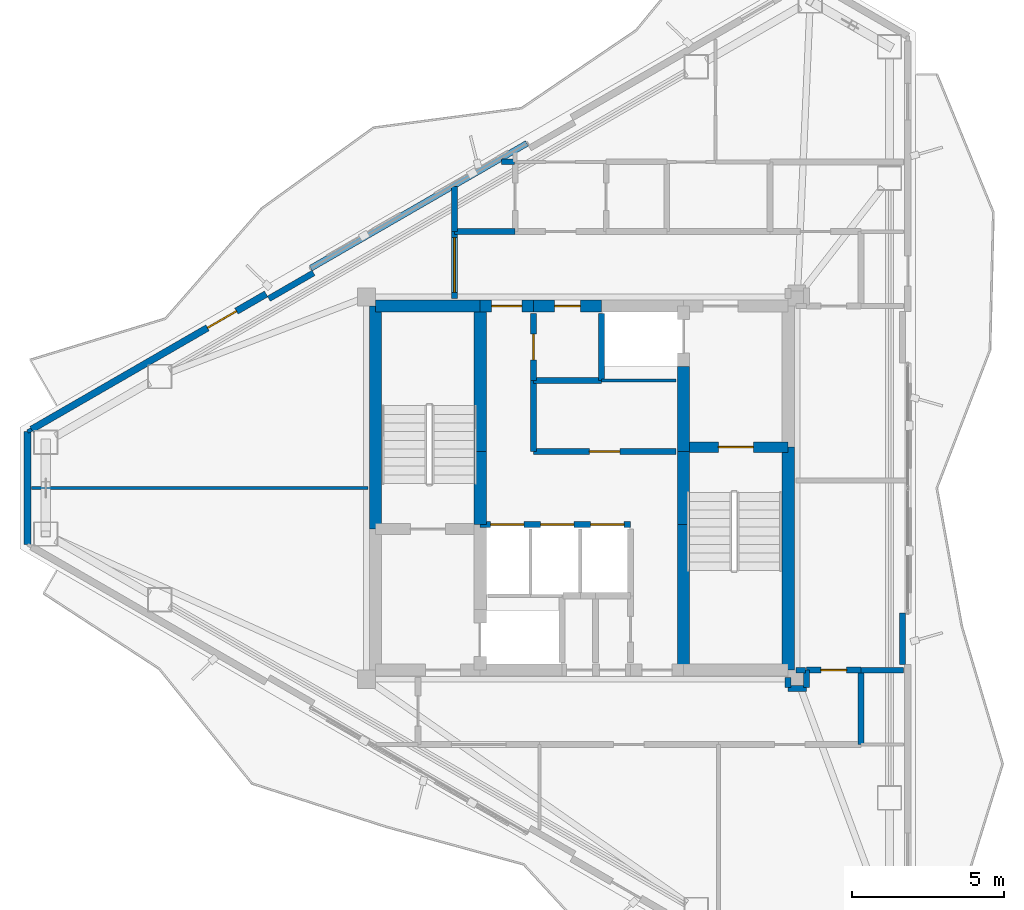
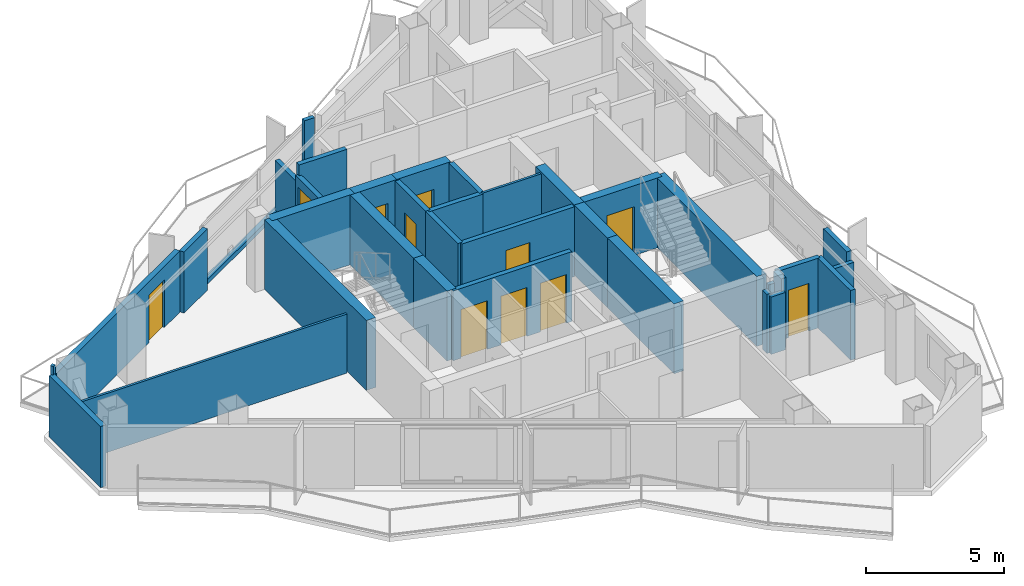
# One storey, part 15 of 18: 36 walls, 11 doors, 11 openings.
"""IFC4 building model written with IfcOpenShell, lengths in metres."""

from ifc_helpers import new_model, si_unit, direction, frame, frame_2d, origin, place, context, subcontext, project, spatial, rectangle, extrude, material, layer, layer_set, type_object, element, fill, save


model = new_model("IFC4")

# Units and contexts
model_context = context("Model", 3, precision=1e-05, world=origin(), true_north=direction((0.0, 1.0)))
body_context = subcontext(model_context, "Body", "Model", "MODEL_VIEW")
ifc_project = project(units=[si_unit("LENGTHUNIT", "METRE"), si_unit("AREAUNIT", "SQUARE_METRE"), si_unit("VOLUMEUNIT", "CUBIC_METRE"), si_unit("PLANEANGLEUNIT", "RADIAN"), si_unit("MASSUNIT", "GRAM", prefix="KILO")], contexts=[model_context])

# Site, building, storey
site_placement = place(None, origin())
site = spatial("IfcSite", under=ifc_project, at=site_placement, CompositionType="ELEMENT")
building_placement = place(site_placement, origin())
building = spatial("IfcBuilding", under=site, at=building_placement, Name="Mersakhor Tower and Convention Hall", CompositionType="ELEMENT")
storey_placement = place(building_placement, frame((0.0, 0.0, 243.0)))
storey = spatial("IfcBuildingStorey", under=building, at=storey_placement, Name="L68", CompositionType="ELEMENT", Elevation=243.0)

# Wall
ifc_material_1 = material(Name="Precast concrete C40/50", Category="concrete")
ifc_layer_1 = layer(ifc_material_1, 0.22509765625)
ifc_layer_set_1 = layer_set([ifc_layer_1], Name="Precast concrete C40/50")
wall_type_1 = type_object("IfcWallType", Name="WL-EXT-225", PredefinedType="SOLIDWALL", material=ifc_layer_set_1)
wall_1_placement = place(storey_placement, frame((10.73193359375, 24.892333984375, 0.0), z_axis=(0.0, 0.0, 1.0), x_axis=(0.0, 1.0, 0.0)))
element("IfcWall", 1, at=wall_1_placement, inside=storey, type_object=wall_type_1, Name="L68 Chamfer Braced Spandrel Wall C3", PredefinedType="SOLIDWALL", context=body_context, shape_type="SweptSolid", body=[
    extrude(rectangle(XDim=3.71533203125, YDim=0.22509765625, at=frame_2d((1.857666015625, 0.0))), origin(), (0.0, 0.0, 1.0), 2.699951171875),
])

# Wall, opening, door
wall_2_placement = place(storey_placement, frame((10.86181640625, 28.6826171875, 0.0), z_axis=(0.0, 0.0, 1.0), x_axis=(0.866026655105, 0.499997832642, 0.0)))
wall_2 = element("IfcWall", 2, at=wall_2_placement, inside=storey, type_object=wall_type_1, Name="L68 Exterior Facade Wall F1-B1", PredefinedType="SOLIDWALL", context=body_context, shape_type="SweptSolid", body=[
    extrude(rectangle(XDim=8.927734375, YDim=0.22509765625, at=frame_2d((4.4638671875, 0.0))), origin(), (0.0, 0.0, 1.0), 2.699951171875),
])
opening_1_placement = place(wall_2_placement, frame((6.696044921875, 0.0, 0.0)))
opening_1 = element("IfcOpeningElement", 3, at=opening_1_placement, cuts=wall_2, Name="Opening BD-02", PredefinedType="OPENING", context=body_context, shape_type="SweptSolid", body=[
    extrude(rectangle(XDim=1.10009765625, YDim=2.10009765625, at=frame_2d((0.550048828125, 1.050048828125))), frame((0.0, 0.12255859375, 0.0), z_axis=(0.0, -1.0, 0.0), x_axis=(1.0, 0.0, 0.0)), (0.0, 0.0, 1.0), 0.2451171875),
])
ifc_material_2 = material(Name="Thermally broken dark aluminium and safety glass", Category="aluminium")
door_type_1 = type_object("IfcDoorType", Name="DR-BAL-110x210", OperationType="NOTDEFINED", PredefinedType="DOOR", material=ifc_material_2)
door_1_placement = place(opening_1_placement, origin())
door_1 = element("IfcDoor", 4, at=door_1_placement, inside=storey, type_object=door_type_1, Name="L68 Balcony Terrace Door F1-B1", OperationType="SINGLE_SWING_RIGHT", OverallHeight=2.10009765625, OverallWidth=1.10009765625, PredefinedType="DOOR", context=body_context, shape_type="SweptSolid", body=[
    extrude(rectangle(XDim=1.10009765625, YDim=2.10009765625, at=frame_2d((0.550048828125, 1.050048828125))), frame((0.0, 0.02490234375, 0.0), z_axis=(0.0, -1.0, 0.0), x_axis=(1.0, 0.0, 0.0)), (0.0, 0.0, 1.0), 0.050048828125),
])
fill(opening_1, door_1)

# Walls
ifc_material_3 = material(Name="Precast concrete C40/50", Category="concrete")
ifc_layer_2 = layer(ifc_material_3, 0.199951171875)
ifc_layer_set_2 = layer_set([ifc_layer_2], Name="Precast concrete C40/50")
wall_type_2 = type_object("IfcWallType", Name="WL-PAR-200", PredefinedType="PARAPET", material=ifc_layer_set_2)
wall_3_placement = place(storey_placement, frame((20.06591796875, 33.99658203125, 0.0), z_axis=(0.0, 0.0, 1.0), x_axis=(0.866019557082, 0.500010126649, 0.0)))
element("IfcWall", 5, at=wall_3_placement, inside=storey, type_object=wall_type_2, Name="L68 Curtain Wall Upstand Sill F1-B2", PredefinedType="PARAPET", context=body_context, shape_type="SweptSolid", body=[
    extrude(rectangle(XDim=8.227783203125, YDim=0.199951171875, at=frame_2d((4.11376953125, 0.0))), origin(), (0.0, 0.0, 1.0), 0.199951171875),
])
wall_4_placement = place(storey_placement, frame((18.68359375, 32.99072265625, 0.0), z_axis=(0.0, 0.0, 1.0), x_axis=(0.866025371046, 0.500000056704, 0.0)))
element("IfcWall", 6, at=wall_4_placement, inside=storey, type_object=wall_type_2, Name="L68 Column Pier Cladding Wall F1-C1", PredefinedType="PARAPET", context=body_context, shape_type="SweptSolid", body=[
    extrude(rectangle(XDim=1.7001953125, YDim=0.199951171875, at=frame_2d((0.85009765625, 0.0))), origin(), (0.0, 0.0, 1.0), 2.699951171875),
])
wall_5_placement = place(storey_placement, frame((39.562744140625, 22.635986328125, 0.0), z_axis=(0.0, 0.0, 1.0), x_axis=(0.0, -1.0, 0.0)))
element("IfcWall", 7, at=wall_5_placement, inside=storey, type_object=wall_type_2, Name="L68 Column Pier Cladding Wall F2-C2", PredefinedType="PARAPET", context=body_context, shape_type="SweptSolid", body=[
    extrude(rectangle(XDim=1.699951171875, YDim=0.199951171875, at=frame_2d((0.85009765625, 0.0))), origin(), (0.0, 0.0, 1.0), 2.699951171875),
])
ifc_material_4 = material(Name="Moisture-resistant acoustic drywall studwork", Category="other")
ifc_layer_3 = layer(ifc_material_4, 0.175048828125)
ifc_layer_set_3 = layer_set([ifc_layer_3], Name="Moisture-resistant acoustic drywall studwork")
wall_type_3 = type_object("IfcWallType", Name="WL-PLM-175", PredefinedType="PLUMBINGWALL", material=ifc_layer_set_3)
wall_6_placement = place(storey_placement, frame((39.606201171875, 20.75, 0.0), z_axis=(0.0, 0.0, 1.0), x_axis=(-1.0, 0.0, 0.0)))
element("IfcWall", 8, at=wall_6_placement, inside=storey, type_object=wall_type_3, Name="L68 Interior Partition Wall P-042", PredefinedType="PLUMBINGWALL", context=body_context, shape_type="SweptSolid", body=[
    extrude(rectangle(XDim=1.40625, YDim=0.175048828125, at=frame_2d((0.703125, 0.0))), origin(), (0.0, 0.0, 1.0), 2.364990234375),
])
wall_7_placement = place(storey_placement, frame((36.3701171875, 20.75, 0.0), z_axis=(0.0, 0.0, 1.0), x_axis=(-1.0, 0.0, 0.0)))
element("IfcWall", 9, at=wall_7_placement, inside=storey, type_object=wall_type_3, Name="L68 Interior Partition Wall P-043", PredefinedType="PLUMBINGWALL", context=body_context, shape_type="SweptSolid", body=[
    extrude(rectangle(XDim=0.320068359375, YDim=0.175048828125, at=frame_2d((0.16015625, 0.0))), origin(), (0.0, 0.0, 1.0), 2.60498046875),
])
wall_8_placement = place(storey_placement, frame((26.356689453125, 37.5, 0.0), z_axis=(0.0, 0.0, 1.0), x_axis=(1.0, 0.0, 0.0)))
element("IfcWall", 10, at=wall_8_placement, inside=storey, type_object=wall_type_3, Name="L68 Interior Partition Wall P-045", PredefinedType="PLUMBINGWALL", context=body_context, shape_type="SweptSolid", body=[
    extrude(rectangle(XDim=0.42822265625, YDim=0.175048828125, at=frame_2d((0.214111328125, 0.0))), origin(), (0.0, 0.0, 1.0), 3.080078125),
])
ifc_material_5 = material(Name="Lightweight gypsum partition", Category="other")
ifc_layer_4 = layer(ifc_material_5, 0.10009765625)
ifc_layer_set_4 = layer_set([ifc_layer_4], Name="Lightweight gypsum partition")
wall_type_4 = type_object("IfcWallType", Name="WL-PRT-100", PredefinedType="PARTITIONING", material=ifc_layer_set_4)
wall_9_placement = place(storey_placement, frame((32.10009765625, 30.300048828125, 0.0), z_axis=(0.0, 0.0, 1.0), x_axis=(-1.0, 0.0, 0.0)))
element("IfcWall", 11, at=wall_9_placement, inside=storey, type_object=wall_type_4, Name="L68 Interior Partition Wall P-004", PredefinedType="PARTITIONING", context=body_context, shape_type="SweptSolid", body=[
    extrude(rectangle(XDim=2.4501953125, YDim=0.10009765625, at=frame_2d((1.22509765625, 0.0))), origin(), (0.0, 0.0, 1.0), 3.080078125),
])
wall_10_placement = place(storey_placement, frame((21.949951171875, 26.75, 0.0), z_axis=(0.0, 0.0, 1.0), x_axis=(-1.0, 0.0, 0.0)))
element("IfcWall", 12, at=wall_10_placement, inside=storey, type_object=wall_type_4, Name="L68 Interior Partition Wall P-060", PredefinedType="PARTITIONING", context=body_context, shape_type="SweptSolid", body=[
    extrude(rectangle(XDim=11.08154296875, YDim=0.10009765625, at=frame_2d((5.540771484375, 0.0))), origin(), (0.0, 0.0, 1.0), 2.60498046875),
])
ifc_material_6 = material(Name="Gypsum board acoustic partition", Category="other")
ifc_layer_5 = layer(ifc_material_6, 0.125)
ifc_layer_set_5 = layer_set([ifc_layer_5], Name="Gypsum board acoustic partition")
wall_type_5 = type_object("IfcWallType", Name="WL-PRT-125", PredefinedType="PARTITIONING", material=ifc_layer_set_5)
wall_11_placement = place(storey_placement, frame((10.73193359375, 28.60791015625, 0.0), z_axis=(0.0, 0.0, 1.0), x_axis=(0.866131372301, 0.499816412211, 0.0)))
element("IfcWall", 13, at=wall_11_placement, inside=storey, type_object=wall_type_5, Name="L68 Interior Partition Wall P-061", PredefinedType="PARTITIONING", context=body_context, shape_type="SweptSolid", body=[
    extrude(rectangle(XDim=0.14990234375, YDim=0.125, at=frame_2d((0.074951171875, 0.0))), origin(), (0.0, 0.0, 1.0), 3.080078125),
])

# Wall, openings, doors
ifc_material_7 = material(Name="Acoustic concrete blockwork and gypsum board", Category="masonry")
ifc_layer_6 = layer(ifc_material_7, 0.199951171875)
ifc_layer_set_6 = layer_set([ifc_layer_6], Name="Acoustic concrete blockwork and gypsum board")
wall_type_6 = type_object("IfcWallType", Name="WL-PRT-200", PredefinedType="PARTITIONING", material=ifc_layer_set_6)
wall_12_placement = place(storey_placement, frame((25.64990234375, 25.550048828125, 0.0), z_axis=(0.0, 0.0, 1.0), x_axis=(1.0, 0.0, 0.0)))
wall_12 = element("IfcWall", 14, at=wall_12_placement, inside=storey, type_object=wall_type_6, Name="L68 High-Rise Lift Bank Front Wall", PredefinedType="PARTITIONING", context=body_context, shape_type="SweptSolid", body=[
    extrude(rectangle(XDim=4.9501953125, YDim=0.199951171875, at=frame_2d((2.47509765625, 0.0))), origin(), (0.0, 0.0, 1.0), 3.080078125),
])
opening_2_placement = place(wall_12_placement, frame((0.340087890625, 0.0, 0.0)))
opening_2 = element("IfcOpeningElement", 15, at=opening_2_placement, cuts=wall_12, Name="Opening LD-P4", PredefinedType="OPENING", context=body_context, shape_type="SweptSolid", body=[
    extrude(rectangle(XDim=1.10009765625, YDim=2.14990234375, at=frame_2d((0.550048828125, 1.074951171875))), frame((0.0, 0.10986328125, 0.0), z_axis=(0.0, -1.0, 0.0), x_axis=(1.0, 0.0, 0.0)), (0.0, 0.0, 1.0), 0.219970703125),
])
opening_3_placement = place(wall_12_placement, frame((1.989990234375, 0.0, 0.0)))
opening_3 = element("IfcOpeningElement", 16, at=opening_3_placement, cuts=wall_12, Name="Opening LD-P5", PredefinedType="OPENING", context=body_context, shape_type="SweptSolid", body=[
    extrude(rectangle(XDim=1.10009765625, YDim=2.14990234375, at=frame_2d((0.550048828125, 1.074951171875))), frame((0.0, 0.10986328125, 0.0), z_axis=(0.0, -1.0, 0.0), x_axis=(1.0, 0.0, 0.0)), (0.0, 0.0, 1.0), 0.219970703125),
])
opening_4_placement = place(wall_12_placement, frame((3.639892578125, 0.0, 0.0)))
opening_4 = element("IfcOpeningElement", 17, at=opening_4_placement, cuts=wall_12, Name="Opening LD-P6", PredefinedType="OPENING", context=body_context, shape_type="SweptSolid", body=[
    extrude(rectangle(XDim=1.10009765625, YDim=2.14990234375, at=frame_2d((0.550048828125, 1.074951171875))), frame((0.0, 0.10986328125, 0.0), z_axis=(0.0, -1.0, 0.0), x_axis=(1.0, 0.0, 0.0)), (0.0, 0.0, 1.0), 0.219970703125),
])
ifc_material_8 = material(Name="Fire-rated brushed stainless steel sliding landing door", Category="steel")
door_type_2 = type_object("IfcDoorType", Name="DR-LIFT-SLD-110x215", OperationType="NOTDEFINED", PredefinedType="DOOR", material=ifc_material_8)
door_2_placement = place(opening_2_placement, origin())
door_2 = element("IfcDoor", 18, at=door_2_placement, inside=storey, type_object=door_type_2, Name="L68 Lift Landing Door LD-P4", OperationType="SLIDING_TO_LEFT", OverallHeight=2.14990234375, OverallWidth=1.10009765625, PredefinedType="DOOR", context=body_context, shape_type="SweptSolid", body=[
    extrude(rectangle(XDim=1.10009765625, YDim=2.14990234375, at=frame_2d((0.550048828125, 1.074951171875))), frame((0.0, 0.02490234375, 0.0), z_axis=(0.0, -1.0, 0.0), x_axis=(1.0, 0.0, 0.0)), (0.0, 0.0, 1.0), 0.050048828125),
])
fill(opening_2, door_2)
door_3_placement = place(opening_3_placement, origin())
door_3 = element("IfcDoor", 19, at=door_3_placement, inside=storey, type_object=door_type_2, Name="L68 Lift Landing Door LD-P5", OperationType="SLIDING_TO_LEFT", OverallHeight=2.14990234375, OverallWidth=1.10009765625, PredefinedType="DOOR", context=body_context, shape_type="SweptSolid", body=[
    extrude(rectangle(XDim=1.10009765625, YDim=2.14990234375, at=frame_2d((0.550048828125, 1.074951171875))), frame((0.0, 0.02490234375, 0.0), z_axis=(0.0, -1.0, 0.0), x_axis=(1.0, 0.0, 0.0)), (0.0, 0.0, 1.0), 0.050048828125),
])
fill(opening_3, door_3)
door_4_placement = place(opening_4_placement, origin())
door_4 = element("IfcDoor", 20, at=door_4_placement, inside=storey, type_object=door_type_2, Name="L68 Lift Landing Door LD-P6", OperationType="SLIDING_TO_LEFT", OverallHeight=2.14990234375, OverallWidth=1.10009765625, PredefinedType="DOOR", context=body_context, shape_type="SweptSolid", body=[
    extrude(rectangle(XDim=1.10009765625, YDim=2.14990234375, at=frame_2d((0.550048828125, 1.074951171875))), frame((0.0, 0.02490234375, 0.0), z_axis=(0.0, -1.0, 0.0), x_axis=(1.0, 0.0, 0.0)), (0.0, 0.0, 1.0), 0.050048828125),
])
fill(opening_4, door_4)

# Wall
wall_13_placement = place(storey_placement, frame((29.64990234375, 30.300048828125, 0.0), z_axis=(0.0, 0.0, 1.0), x_axis=(0.0, 1.0, 0.0)))
element("IfcWall", 21, at=wall_13_placement, inside=storey, type_object=wall_type_6, Name="L68 Interior Partition Wall P-005", PredefinedType="PARTITIONING", context=body_context, shape_type="SweptSolid", body=[
    extrude(rectangle(XDim=2.199951171875, YDim=0.199951171875, at=frame_2d((1.10009765625, 0.0))), origin(), (0.0, 0.0, 1.0), 3.080078125),
])

# Wall, opening, door
wall_14_placement = place(storey_placement, frame((27.39990234375, 32.5, 0.0), z_axis=(0.0, 0.0, 1.0), x_axis=(0.0, -1.0, 0.0)))
wall_14 = element("IfcWall", 22, at=wall_14_placement, inside=storey, type_object=wall_type_6, Name="L68 Interior Partition Wall P-013", PredefinedType="PARTITIONING", context=body_context, shape_type="SweptSolid", body=[
    extrude(rectangle(XDim=2.199951171875, YDim=0.199951171875, at=frame_2d((1.10009765625, 0.0))), origin(), (0.0, 0.0, 1.0), 3.080078125),
])
opening_5_placement = place(wall_14_placement, frame((0.675048828125, 0.0, 0.0)))
opening_5 = element("IfcOpeningElement", 23, at=opening_5_placement, cuts=wall_14, Name="Opening SVD-01", PredefinedType="OPENING", context=body_context, shape_type="SweptSolid", body=[
    extrude(rectangle(XDim=0.85009765625, YDim=2.10009765625, at=frame_2d((0.425048828125, 1.050048828125))), frame((0.0, 0.10986328125, 0.0), z_axis=(0.0, -1.0, 0.0), x_axis=(1.0, 0.0, 0.0)), (0.0, 0.0, 1.0), 0.219970703125),
])
ifc_material_9 = material(Name="Fire-rated hardwood leaf and painted steel frame", Category="steel")
door_type_3 = type_object("IfcDoorType", Name="DR-INT-SVC-085x210", OperationType="NOTDEFINED", PredefinedType="DOOR", material=ifc_material_9)
door_5_placement = place(opening_5_placement, origin())
door_5 = element("IfcDoor", 24, at=door_5_placement, inside=storey, type_object=door_type_3, Name="L68 Central Passenger Lift Lobby to High-Zone Telecoms Room Door", OperationType="SINGLE_SWING_LEFT", OverallHeight=2.10009765625, OverallWidth=0.85009765625, PredefinedType="DOOR", context=body_context, shape_type="SweptSolid", body=[
    extrude(rectangle(XDim=0.85009765625, YDim=2.10009765625, at=frame_2d((0.425048828125, 1.050048828125))), frame((0.0, 0.02490234375, 0.0), z_axis=(0.0, -1.0, 0.0), x_axis=(1.0, 0.0, 0.0)), (0.0, 0.0, 1.0), 0.050048828125),
])
fill(opening_5, door_5)

# Wall
wall_15_placement = place(storey_placement, frame((27.39990234375, 30.300048828125, 0.0), z_axis=(0.0, 0.0, 1.0), x_axis=(0.0, -1.0, 0.0)))
element("IfcWall", 25, at=wall_15_placement, inside=storey, type_object=wall_type_6, Name="L68 Interior Partition Wall P-014", PredefinedType="PARTITIONING", context=body_context, shape_type="SweptSolid", body=[
    extrude(rectangle(XDim=2.35009765625, YDim=0.199951171875, at=frame_2d((1.175048828125, 0.0))), origin(), (0.0, 0.0, 1.0), 3.080078125),
])

# Wall, opening, door
wall_16_placement = place(storey_placement, frame((27.39990234375, 27.949951171875, 0.0), z_axis=(0.0, 0.0, 1.0), x_axis=(1.0, 0.0, 0.0)))
wall_16 = element("IfcWall", 26, at=wall_16_placement, inside=storey, type_object=wall_type_6, Name="L68 Interior Partition Wall P-015", PredefinedType="PARTITIONING", context=body_context, shape_type="SweptSolid", body=[
    extrude(rectangle(XDim=4.7001953125, YDim=0.199951171875, at=frame_2d((2.35009765625, 0.0))), origin(), (0.0, 0.0, 1.0), 3.080078125),
])
opening_6_placement = place(wall_16_placement, frame((1.85009765625, 0.0, 0.0)))
opening_6 = element("IfcOpeningElement", 27, at=opening_6_placement, cuts=wall_16, Name="Opening FD-01", PredefinedType="OPENING", context=body_context, shape_type="SweptSolid", body=[
    extrude(rectangle(XDim=1.0, YDim=2.14990234375, at=frame_2d((0.5, 1.074951171875))), frame((0.0, 0.10986328125, 0.0), z_axis=(0.0, -1.0, 0.0), x_axis=(1.0, 0.0, 0.0)), (0.0, 0.0, 1.0), 0.219970703125),
])
ifc_material_10 = material(Name="Fire-rated hardwood leaf and painted steel frame", Category="steel")
door_type_4 = type_object("IfcDoorType", Name="DR-INT-FLT-100x215", OperationType="NOTDEFINED", PredefinedType="DOOR", material=ifc_material_10)
door_6_placement = place(opening_6_placement, origin())
door_6 = element("IfcDoor", 28, at=door_6_placement, inside=storey, type_object=door_type_4, Name="L68 Central Passenger Lift Lobby to Shared Floor Tea Pantry Door", OperationType="SINGLE_SWING_RIGHT", OverallHeight=2.14990234375, OverallWidth=1.0, PredefinedType="DOOR", context=body_context, shape_type="SweptSolid", body=[
    extrude(rectangle(XDim=1.0, YDim=2.14990234375, at=frame_2d((0.5, 1.074951171875))), frame((0.0, 0.02490234375, 0.0), z_axis=(0.0, -1.0, 0.0), x_axis=(1.0, 0.0, 0.0)), (0.0, 0.0, 1.0), 0.050048828125),
])
fill(opening_6, door_6)

# Wall
wall_17_placement = place(storey_placement, frame((24.800048828125, 35.199951171875, 0.0), z_axis=(0.0, 0.0, 1.0), x_axis=(1.0, 0.0, 0.0)))
element("IfcWall", 29, at=wall_17_placement, inside=storey, type_object=wall_type_6, Name="L68 Interior Partition Wall P-016", PredefinedType="PARTITIONING", context=body_context, shape_type="SweptSolid", body=[
    extrude(rectangle(XDim=2.0, YDim=0.199951171875, at=frame_2d((1.0, 0.0))), origin(), (0.0, 0.0, 1.0), 3.080078125),
])

# Wall, opening, door
wall_18_placement = place(storey_placement, frame((24.800048828125, 33.0, 0.0), z_axis=(0.0, 0.0, 1.0), x_axis=(0.0, 1.0, 0.0)))
wall_18 = element("IfcWall", 30, at=wall_18_placement, inside=storey, type_object=wall_type_6, Name="L68 Interior Partition Wall P-026", PredefinedType="PARTITIONING", context=body_context, shape_type="SweptSolid", body=[
    extrude(rectangle(XDim=2.199951171875, YDim=0.199951171875, at=frame_2d((1.10009765625, 0.0))), origin(), (0.0, 0.0, 1.0), 2.60498046875),
])
opening_7_placement = place(wall_18_placement, frame((0.199951171875, 0.0, 0.0)))
opening_7 = element("IfcOpeningElement", 31, at=opening_7_placement, cuts=wall_18, Name="Opening HD-01", PredefinedType="OPENING", context=body_context, shape_type="SweptSolid", body=[
    extrude(rectangle(XDim=1.800048828125, YDim=2.199951171875, at=frame_2d((0.89990234375, 1.10009765625))), frame((0.0, 0.10986328125, 0.0), z_axis=(0.0, -1.0, 0.0), x_axis=(1.0, 0.0, 0.0)), (0.0, 0.0, 1.0), 0.219970703125),
])
ifc_material_11 = material(Name="Fire-rated hardwood leaf and painted steel frame", Category="steel")
door_type_5 = type_object("IfcDoorType", Name="DR-INT-HALL-180x220", OperationType="NOTDEFINED", PredefinedType="DOOR", material=ifc_material_11)
door_7_placement = place(opening_7_placement, origin())
door_7 = element("IfcDoor", 32, at=door_7_placement, inside=storey, type_object=door_type_5, Name="L68 Residential North Gallery Corridor to L68 West Crown Residents Meeting Room Door", OperationType="DOUBLE_DOOR_SINGLE_SWING", OverallHeight=2.199951171875, OverallWidth=1.800048828125, PredefinedType="DOOR", context=body_context, shape_type="SweptSolid", body=[
    extrude(rectangle(XDim=1.800048828125, YDim=2.199951171875, at=frame_2d((0.89990234375, 1.10009765625))), frame((0.0, 0.02490234375, 0.0), z_axis=(0.0, -1.0, 0.0), x_axis=(1.0, 0.0, 0.0)), (0.0, 0.0, 1.0), 0.050048828125),
])
fill(opening_7, door_7)

# Walls
wall_19_placement = place(storey_placement, frame((35.800048828125, 20.14990234375, 0.0), z_axis=(0.0, 0.0, 1.0), x_axis=(1.0, 0.0, 0.0)))
element("IfcWall", 33, at=wall_19_placement, inside=storey, type_object=wall_type_6, Name="L68 Interior Partition Wall P-027", PredefinedType="PARTITIONING", context=body_context, shape_type="SweptSolid", body=[
    extrude(rectangle(XDim=0.599853515625, YDim=0.199951171875, at=frame_2d((0.2998046875, 0.0))), origin(), (0.0, 0.0, 1.0), 2.5283203125),
])
wall_20_placement = place(storey_placement, frame((36.39990234375, 20.179931640625, 0.0), z_axis=(0.0, 0.0, 1.0), x_axis=(0.0, 1.0, 0.0)))
element("IfcWall", 34, at=wall_20_placement, inside=storey, type_object=wall_type_6, Name="L68 Interior Partition Wall P-028", PredefinedType="PARTITIONING", context=body_context, shape_type="SweptSolid", body=[
    extrude(rectangle(XDim=0.570068359375, YDim=0.199951171875, at=frame_2d((0.28515625, 0.0))), origin(), (0.0, 0.0, 1.0), 3.080078125),
])

# Wall, opening, door
wall_21_placement = place(storey_placement, frame((36.39990234375, 20.75, 0.0), z_axis=(0.0, 0.0, 1.0), x_axis=(1.0, 0.0, 0.0)))
wall_21 = element("IfcWall", 35, at=wall_21_placement, inside=storey, type_object=wall_type_6, Name="L68 Interior Partition Wall P-029", PredefinedType="PARTITIONING", context=body_context, shape_type="SweptSolid", body=[
    extrude(rectangle(XDim=1.800048828125, YDim=0.199951171875, at=frame_2d((0.89990234375, 0.0))), origin(), (0.0, 0.0, 1.0), 3.080078125),
])
opening_8_placement = place(wall_21_placement, frame((0.47509765625, 0.0, 0.0)))
opening_8 = element("IfcOpeningElement", 36, at=opening_8_placement, cuts=wall_21, Name="Opening SVD-01", PredefinedType="OPENING", context=body_context, shape_type="SweptSolid", body=[
    extrude(rectangle(XDim=0.85009765625, YDim=2.10009765625, at=frame_2d((0.425048828125, 1.050048828125))), frame((0.0, 0.10986328125, 0.0), z_axis=(0.0, -1.0, 0.0), x_axis=(1.0, 0.0, 0.0)), (0.0, 0.0, 1.0), 0.219970703125),
])
door_8_placement = place(opening_8_placement, origin())
door_8 = element("IfcDoor", 37, at=door_8_placement, inside=storey, type_object=door_type_3, Name="L68 Residential South Gallery Corridor to L68 East Crown Accessible Toilet WC Door", OperationType="SINGLE_SWING_RIGHT", OverallHeight=2.10009765625, OverallWidth=0.85009765625, PredefinedType="DOOR", context=body_context, shape_type="SweptSolid", body=[
    extrude(rectangle(XDim=0.85009765625, YDim=2.10009765625, at=frame_2d((0.425048828125, 1.050048828125))), frame((0.0, 0.02490234375, 0.0), z_axis=(0.0, -1.0, 0.0), x_axis=(1.0, 0.0, 0.0)), (0.0, 0.0, 1.0), 0.050048828125),
])
fill(opening_8, door_8)

# Walls
wall_22_placement = place(storey_placement, frame((38.199951171875, 20.75, 0.0), z_axis=(0.0, 0.0, 1.0), x_axis=(0.0, -1.0, 0.0)))
element("IfcWall", 38, at=wall_22_placement, inside=storey, type_object=wall_type_6, Name="L68 Interior Partition Wall P-030", PredefinedType="PARTITIONING", context=body_context, shape_type="SweptSolid", body=[
    extrude(rectangle(XDim=2.449951171875, YDim=0.199951171875, at=frame_2d((1.22509765625, 0.0))), origin(), (0.0, 0.0, 1.0), 3.080078125),
])
wall_23_placement = place(storey_placement, frame((35.800048828125, 20.5, 0.0), z_axis=(0.0, 0.0, 1.0), x_axis=(0.0, -1.0, 0.0)))
element("IfcWall", 39, at=wall_23_placement, inside=storey, type_object=wall_type_6, Name="L68 Interior Partition Wall P-035", PredefinedType="PARTITIONING", context=body_context, shape_type="SweptSolid", body=[
    extrude(rectangle(XDim=0.320068359375, YDim=0.199951171875, at=frame_2d((0.16015625, 0.0))), origin(), (0.0, 0.0, 1.0), 2.60498046875),
])
wall_24_placement = place(storey_placement, frame((24.800048828125, 35.199951171875, 0.0), z_axis=(0.0, 0.0, 1.0), x_axis=(0.0, 1.0, 0.0)))
element("IfcWall", 40, at=wall_24_placement, inside=storey, type_object=wall_type_6, Name="L68 Interior Partition Wall P-044", PredefinedType="PARTITIONING", context=body_context, shape_type="SweptSolid", body=[
    extrude(rectangle(XDim=1.483642578125, YDim=0.199951171875, at=frame_2d((0.74169921875, 0.0))), origin(), (0.0, 0.0, 1.0), 2.364990234375),
])
wall_25_placement = place(storey_placement, frame((27.39990234375, 30.300048828125, 0.0), z_axis=(0.0, 0.0, 1.0), x_axis=(1.0, 0.0, 0.0)))
element("IfcWall", 41, at=wall_25_placement, inside=storey, type_object=wall_type_6, Name="L68 Interior Partition Wall P-051", PredefinedType="PARTITIONING", context=body_context, shape_type="SweptSolid", body=[
    extrude(rectangle(XDim=2.25, YDim=0.199951171875, at=frame_2d((1.125, 0.0))), origin(), (0.0, 0.0, 1.0), 3.080078125),
])

# Wall, opening, door
ifc_material_12 = material(Name="Concrete C50/60", Category="concrete")
ifc_layer_7 = layer(ifc_material_12, 0.35009765625)
ifc_layer_set_7 = layer_set([ifc_layer_7], Name="Concrete C50/60")
wall_type_7 = type_object("IfcWallType", Name="WL-SHR-350", PredefinedType="SHEAR", material=ifc_layer_set_7)
wall_26_placement = place(storey_placement, frame((32.35009765625, 28.10009765625, 0.0), z_axis=(0.0, 0.0, 1.0), x_axis=(1.0, 0.0, 0.0)))
wall_26 = element("IfcWall", 42, at=wall_26_placement, inside=storey, type_object=wall_type_7, Name="L68 Core Wall CS-ST2-N", PredefinedType="SHEAR", context=body_context, shape_type="SweptSolid", body=[
    extrude(rectangle(XDim=3.449951171875, YDim=0.35009765625, at=frame_2d((1.72509765625, 0.0))), origin(), (0.0, 0.0, 1.0), 3.080078125),
])
opening_9_placement = place(wall_26_placement, frame((1.14990234375, 0.0, 0.0)))
opening_9 = element("IfcOpeningElement", 43, at=opening_9_placement, cuts=wall_26, Name="Opening SD-01", PredefinedType="OPENING", context=body_context, shape_type="SweptSolid", body=[
    extrude(rectangle(XDim=1.14990234375, YDim=2.14990234375, at=frame_2d((0.574951171875, 1.074951171875))), frame((0.0, 0.18505859375, 0.0), z_axis=(0.0, -1.0, 0.0), x_axis=(1.0, 0.0, 0.0)), (0.0, 0.0, 1.0), 0.3701171875),
])
ifc_material_13 = material(Name="Fire-rated hardwood leaf and painted steel frame", Category="steel")
door_type_6 = type_object("IfcDoorType", Name="DR-INT-STAIR-115x215", OperationType="NOTDEFINED", PredefinedType="DOOR", material=ifc_material_13)
door_9_placement = place(opening_9_placement, origin())
door_9 = element("IfcDoor", 44, at=door_9_placement, inside=storey, type_object=door_type_6, Name="L68 Exit Stair ST-2 Enclosure Door", OperationType="SINGLE_SWING_RIGHT", OverallHeight=2.14990234375, OverallWidth=1.14990234375, PredefinedType="DOOR", context=body_context, shape_type="SweptSolid", body=[
    extrude(rectangle(XDim=1.14990234375, YDim=2.14990234375, at=frame_2d((0.574951171875, 1.074951171875))), frame((0.0, 0.02490234375, 0.0), z_axis=(0.0, -1.0, 0.0), x_axis=(1.0, 0.0, 0.0)), (0.0, 0.0, 1.0), 0.050048828125),
])
fill(opening_9, door_9)

# Walls
ifc_material_14 = material(Name="Concrete C60/75", Category="concrete")
ifc_layer_8 = layer(ifc_material_14, 0.39990234375)
ifc_layer_set_8 = layer_set([ifc_layer_8], Name="Concrete C60/75")
wall_type_8 = type_object("IfcWallType", Name="WL-SHR-400", PredefinedType="SHEAR", material=ifc_layer_set_8)
wall_27_placement = place(storey_placement, frame((22.199951171875, 25.39990234375, 0.0), z_axis=(0.0, 0.0, 1.0), x_axis=(0.0, 1.0, 0.0)))
element("IfcWall", 45, at=wall_27_placement, inside=storey, type_object=wall_type_8, Name="L68 Core Wall CW-W2", PredefinedType="SHEAR", context=body_context, shape_type="SweptSolid", body=[
    extrude(rectangle(XDim=7.35009765625, YDim=0.39990234375, at=frame_2d((3.675048828125, 0.0))), origin(), (0.0, 0.0, 1.0), 3.080078125),
])
wall_28_placement = place(storey_placement, frame((22.199951171875, 32.75, 0.0), z_axis=(0.0, 0.0, 1.0), x_axis=(1.0, 0.0, 0.0)))
element("IfcWall", 46, at=wall_28_placement, inside=storey, type_object=wall_type_8, Name="L68 Core Wall CW-N1", PredefinedType="SHEAR", context=body_context, shape_type="SweptSolid", body=[
    extrude(rectangle(XDim=3.449951171875, YDim=0.39990234375, at=frame_2d((1.72509765625, 0.0))), origin(), (0.0, 0.0, 1.0), 3.080078125),
])

# Wall, opening, door
wall_29_placement = place(storey_placement, frame((25.64990234375, 32.75, 0.0), z_axis=(0.0, 0.0, 1.0), x_axis=(1.0, 0.0, 0.0)))
wall_29 = element("IfcWall", 47, at=wall_29_placement, inside=storey, type_object=wall_type_8, Name="L68 Core Wall CW-N2A", PredefinedType="SHEAR", context=body_context, shape_type="SweptSolid", body=[
    extrude(rectangle(XDim=1.75, YDim=0.39990234375, at=frame_2d((0.875, 0.0))), origin(), (0.0, 0.0, 1.0), 3.080078125),
])
opening_10_placement = place(wall_29_placement, frame((0.375, 0.0, 0.0)))
opening_10 = element("IfcOpeningElement", 48, at=opening_10_placement, cuts=wall_29, Name="Opening CFD-01", PredefinedType="OPENING", context=body_context, shape_type="SweptSolid", body=[
    extrude(rectangle(XDim=1.0, YDim=2.14990234375, at=frame_2d((0.5, 1.074951171875))), frame((0.0, 0.2099609375, 0.0), z_axis=(0.0, -1.0, 0.0), x_axis=(1.0, 0.0, 0.0)), (0.0, 0.0, 1.0), 0.419921875),
])
ifc_material_15 = material(Name="Fire-rated hardwood leaf and painted steel frame", Category="steel")
door_type_7 = type_object("IfcDoorType", Name="DR-CORE-FD-100x215", OperationType="NOTDEFINED", PredefinedType="DOOR", material=ifc_material_15)
door_10_placement = place(opening_10_placement, origin())
door_10 = element("IfcDoor", 49, at=door_10_placement, inside=storey, type_object=door_type_7, Name="L68 Lift Lobby North Corridor Door", OperationType="SINGLE_SWING_LEFT", OverallHeight=2.14990234375, OverallWidth=1.0, PredefinedType="DOOR", context=body_context, shape_type="SweptSolid", body=[
    extrude(rectangle(XDim=1.0, YDim=2.14990234375, at=frame_2d((0.5, 1.074951171875))), frame((0.0, 0.02490234375, 0.0), z_axis=(0.0, -1.0, 0.0), x_axis=(1.0, 0.0, 0.0)), (0.0, 0.0, 1.0), 0.050048828125),
])
fill(opening_10, door_10)

wall_30_placement = place(storey_placement, frame((27.39990234375, 32.75, 0.0), z_axis=(0.0, 0.0, 1.0), x_axis=(1.0, 0.0, 0.0)))
wall_30 = element("IfcWall", 50, at=wall_30_placement, inside=storey, type_object=wall_type_8, Name="L68 Core Wall CW-N2B", PredefinedType="SHEAR", context=body_context, shape_type="SweptSolid", body=[
    extrude(rectangle(XDim=2.25, YDim=0.39990234375, at=frame_2d((1.125, 0.0))), origin(), (0.0, 0.0, 1.0), 3.080078125),
])
opening_11_placement = place(wall_30_placement, frame((0.699951171875, 0.0, 0.0)))
opening_11 = element("IfcOpeningElement", 51, at=opening_11_placement, cuts=wall_30, Name="Opening SVD-01", PredefinedType="OPENING", context=body_context, shape_type="SweptSolid", body=[
    extrude(rectangle(XDim=0.85009765625, YDim=2.10009765625, at=frame_2d((0.425048828125, 1.050048828125))), frame((0.0, 0.2099609375, 0.0), z_axis=(0.0, -1.0, 0.0), x_axis=(1.0, 0.0, 0.0)), (0.0, 0.0, 1.0), 0.419921875),
])
door_11_placement = place(opening_11_placement, origin())
door_11 = element("IfcDoor", 52, at=door_11_placement, inside=storey, type_object=door_type_3, Name="L68 Residential North Gallery Corridor to High-Zone Telecoms Room Door", OperationType="SINGLE_SWING_LEFT", OverallHeight=2.10009765625, OverallWidth=0.85009765625, PredefinedType="DOOR", context=body_context, shape_type="SweptSolid", body=[
    extrude(rectangle(XDim=0.85009765625, YDim=2.10009765625, at=frame_2d((0.425048828125, 1.050048828125))), frame((0.0, 0.02490234375, 0.0), z_axis=(0.0, -1.0, 0.0), x_axis=(1.0, 0.0, 0.0)), (0.0, 0.0, 1.0), 0.050048828125),
])
fill(opening_11, door_11)

# Walls
wall_31_placement = place(storey_placement, frame((35.800048828125, 28.10009765625, 0.0), z_axis=(0.0, 0.0, 1.0), x_axis=(0.0, -1.0, 0.0)))
element("IfcWall", 53, at=wall_31_placement, inside=storey, type_object=wall_type_8, Name="L68 Core Wall CW-E2", PredefinedType="SHEAR", context=body_context, shape_type="SweptSolid", body=[
    extrude(rectangle(XDim=7.35009765625, YDim=0.39990234375, at=frame_2d((3.675048828125, 0.0))), origin(), (0.0, 0.0, 1.0), 3.080078125),
])
wall_32_placement = place(storey_placement, frame((25.64990234375, 25.550048828125, 0.0), z_axis=(0.0, 0.0, 1.0), x_axis=(0.0, 1.0, 0.0)))
element("IfcWall", 54, at=wall_32_placement, inside=storey, type_object=wall_type_8, Name="L68 Core Wall CS-W-LOB", PredefinedType="SHEAR", context=body_context, shape_type="SweptSolid", body=[
    extrude(rectangle(XDim=2.39990234375, YDim=0.39990234375, at=frame_2d((1.199951171875, 0.0))), origin(), (0.0, 0.0, 1.0), 3.080078125),
])
for number, where, z_axis, x_axis, name in (
    (55, (25.64990234375, 27.949951171875, 0.0), (0.0, 0.0, 1.0), (0.0, 1.0, 0.0), "L68 Core Wall CS-W-ST1"),
    (56, (32.35009765625, 20.75, 0.0), (0.0, 0.0, 1.0), (0.0, 1.0, 0.0), "L68 Core Wall CS-E-ST2"),
):
    element("IfcWall", number, at=place(storey_placement, frame(where, z_axis=z_axis, x_axis=x_axis)), inside=storey, type_object=wall_type_8, Name=name, PredefinedType="SHEAR", context=body_context, shape_type="SweptSolid", body=[
        extrude(rectangle(XDim=4.800048828125, YDim=0.39990234375, at=frame_2d((2.39990234375, 0.0))), origin(), (0.0, 0.0, 1.0), 3.080078125),
    ])
wall_33_placement = place(storey_placement, frame((32.35009765625, 25.550048828125, 0.0), z_axis=(0.0, 0.0, 1.0), x_axis=(0.0, 1.0, 0.0)))
element("IfcWall", 57, at=wall_33_placement, inside=storey, type_object=wall_type_8, Name="L68 Core Wall CS-E-LOB", PredefinedType="SHEAR", context=body_context, shape_type="SweptSolid", body=[
    extrude(rectangle(XDim=2.39990234375, YDim=0.39990234375, at=frame_2d((1.199951171875, 0.0))), origin(), (0.0, 0.0, 1.0), 3.080078125),
])
wall_34_placement = place(storey_placement, frame((32.35009765625, 27.949951171875, 0.0), z_axis=(0.0, 0.0, 1.0), x_axis=(0.0, 1.0, 0.0)))
element("IfcWall", 58, at=wall_34_placement, inside=storey, type_object=wall_type_8, Name="L68 Core Wall CS-E-MID", PredefinedType="SHEAR", context=body_context, shape_type="SweptSolid", body=[
    extrude(rectangle(XDim=2.800048828125, YDim=0.39990234375, at=frame_2d((1.39990234375, 0.0))), origin(), (0.0, 0.0, 1.0), 3.080078125),
])

save(model, "model.ifc")
